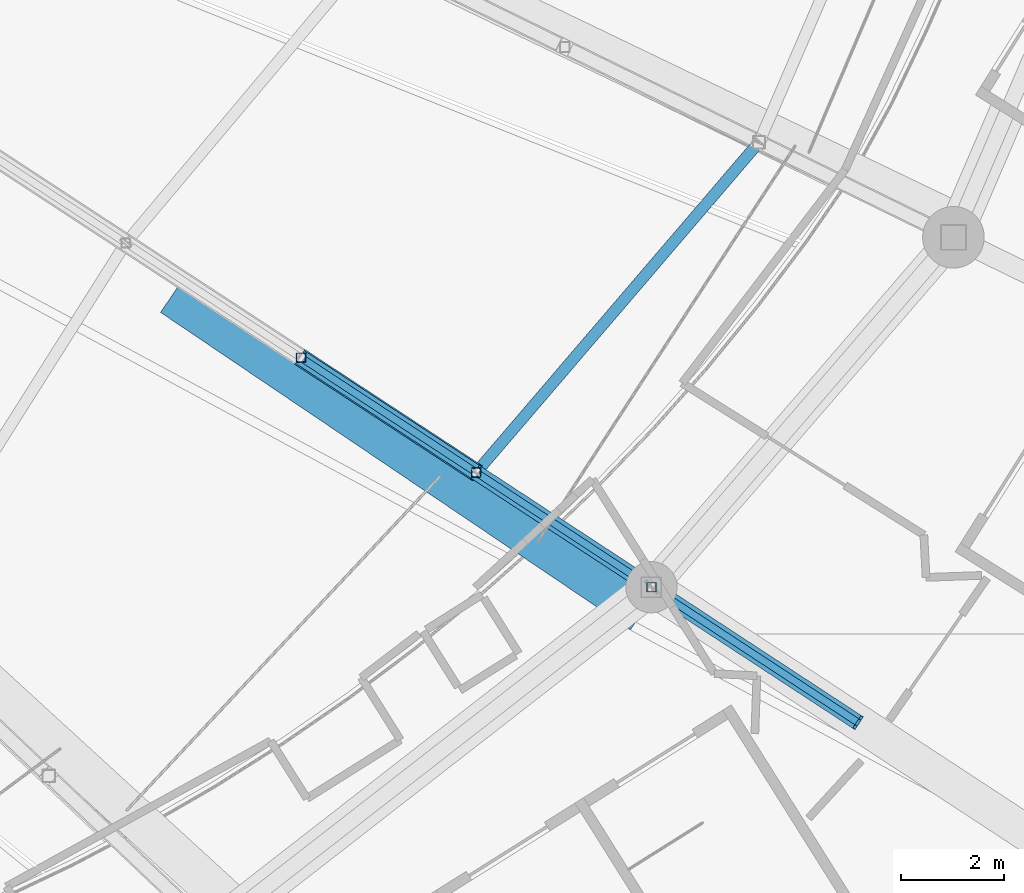
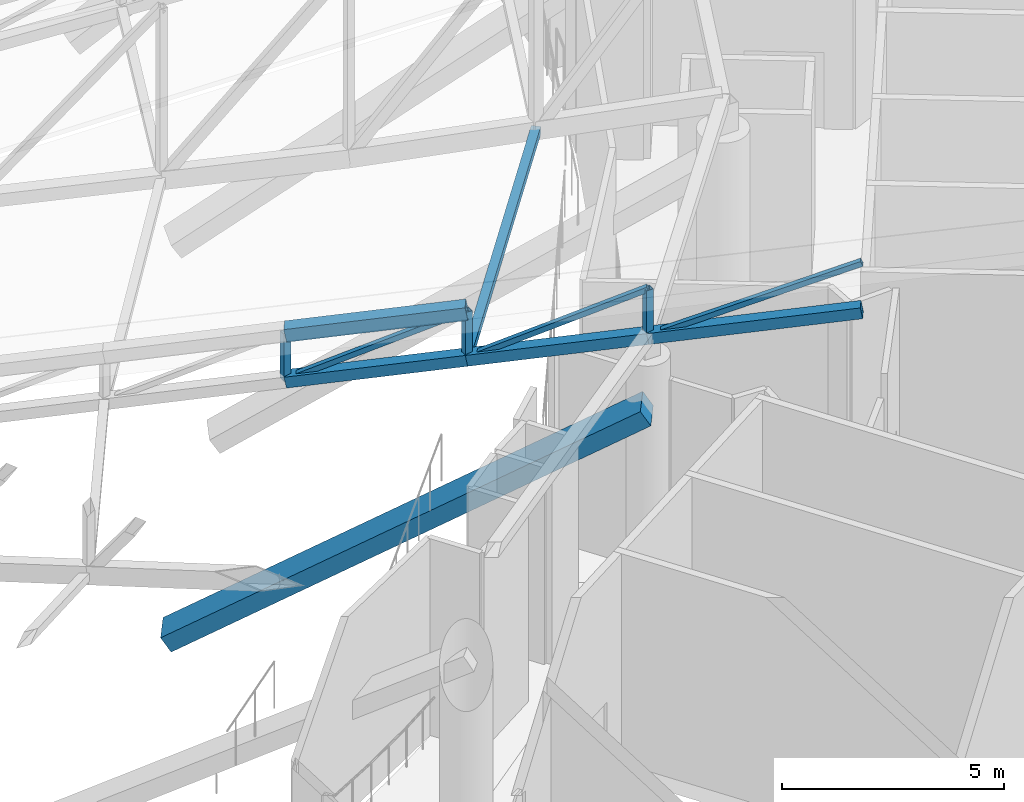
# One storey, part 80 of 344: 11 members, 1 beam.
"""IFC4 building model written with IfcOpenShell, lengths in metres."""

from ifc_helpers import new_model, si_unit, direction, frame, origin, origin_2d, place, context, subcontext, project, spatial, rectangle, hollow_rectangle, extrude, material, material_profile, profile_set, type_object, element, save


model = new_model("IFC4")

# Units and contexts
model_context = context("Model", 3, precision=1e-05, world=origin(), true_north=direction((0.0, 1.0)))
body_context = subcontext(model_context, "Body", "Model", "MODEL_VIEW")
ifc_project = project(units=[si_unit("LENGTHUNIT", "METRE"), si_unit("AREAUNIT", "SQUARE_METRE"), si_unit("VOLUMEUNIT", "CUBIC_METRE"), si_unit("PLANEANGLEUNIT", "RADIAN"), si_unit("MASSUNIT", "GRAM", prefix="KILO")], contexts=[model_context])

# Site, building, storey
site_placement = place(None, origin())
site = spatial("IfcSite", under=ifc_project, at=site_placement, CompositionType="ELEMENT")
building_placement = place(site_placement, origin())
building = spatial("IfcBuilding", under=site, at=building_placement, Name="Meseta Stadium", CompositionType="ELEMENT")
storey_placement = place(building_placement, frame((0.0, 0.0, 24.0)))
storey = spatial("IfcBuildingStorey", under=building, at=storey_placement, Name="L04", CompositionType="ELEMENT", Elevation=24.0)

# Beam
ifc_material_1 = material(Name="Concrete C40/50", Category="concrete")
ifc_material_profile_1 = material_profile(ifc_material_1, rectangle(XDim=0.800048828125, YDim=0.449951171875, at=origin_2d()), Name="RC 800x450")
ifc_profile_set_1 = profile_set([ifc_material_profile_1], Name="Concrete C40/50")
beam_type = type_object("IfcBeamType", Name="RC raker upper rear 800x450", PredefinedType="USERDEFINED", material=ifc_profile_set_1)
beam_placement = place(storey_placement, frame((63.068115234375, -73.469970703125, -1.89404296875), z_axis=(0.703356871616, -0.474805643878, 0.529007288883), x_axis=(0.5595050383, 0.82882694944, 0.0)))
element("IfcBeam", 1, at=beam_placement, inside=storey, type_object=beam_type, Name="Raker upper rear frame 53 upper tier", ObjectType="RAKER", PredefinedType="USERDEFINED", context=body_context, shape_type="SweptSolid", body=[
    extrude(rectangle(XDim=0.800048828125, YDim=0.449951171875, at=origin_2d()), origin(), (0.0, 0.0, 1.0), 12.74267578125),
])

# Members
ifc_material_2 = material(Name="Steel S355", Category="steel")
ifc_material_profile_2 = material_profile(ifc_material_2, hollow_rectangle(XDim=0.139892578125, YDim=0.139892578125, WallThickness=0.0048828125, at=origin_2d()), Name="SHS 140x140x5")
ifc_profile_set_2 = profile_set([ifc_material_profile_2], Name="Steel S355")
member_type_1 = type_object("IfcMemberType", Name="SHS 140x140x5 diagonal", PredefinedType="BRACE", material=ifc_profile_set_2)
member_1_placement = place(storey_placement, frame((65.482421875, -74.6181640625, 4.98291015625), z_axis=(0.74689812517, -0.489192373252, 0.450370972166), x_axis=(0.547905042456, 0.836540533657, 0.0)))
element("IfcMember", 2, at=member_1_placement, inside=storey, type_object=member_type_1, Name="ROOF TRUSS RT-53 diagonal", PredefinedType="BRACE", context=body_context, shape_type="SweptSolid", body=[
    extrude(hollow_rectangle(XDim=0.139892578125, YDim=0.139892578125, WallThickness=0.0048828125, at=origin_2d()), origin(), (0.0, 0.0, 1.0), 4.572021484375),
])
member_2_placement = place(storey_placement, frame((68.897216796875, -76.854736328125, 5.7421875), z_axis=(0.746917635794, -0.489151751188, 0.450382736847), x_axis=(0.547863186454, 0.836567946391, 0.0)))
element("IfcMember", 3, at=member_2_placement, inside=storey, type_object=member_type_1, Name="ROOF TRUSS RT-53 diagonal", PredefinedType="BRACE", context=body_context, shape_type="SweptSolid", body=[
    extrude(hollow_rectangle(XDim=0.139892578125, YDim=0.139892578125, WallThickness=0.0048828125, at=origin_2d()), origin(), (0.0, 0.0, 1.0), 4.57177734375),
])
member_3_placement = place(storey_placement, frame((72.31201171875, -79.091064453125, 6.501220703125), z_axis=(0.761123077873, -0.498493390359, 0.414965058888), x_axis=(0.547892863959, 0.836548510024, 0.0)))
element("IfcMember", 4, at=member_3_placement, inside=storey, type_object=member_type_1, Name="ROOF TRUSS RT-53 diagonal", PredefinedType="BRACE", context=body_context, shape_type="SweptSolid", body=[
    extrude(hollow_rectangle(XDim=0.139892578125, YDim=0.139892578125, WallThickness=0.0048828125, at=origin_2d()), origin(), (0.0, 0.0, 1.0), 5.290283203125),
])
ifc_material_3 = material(Name="Steel S355", Category="steel")
ifc_material_profile_3 = material_profile(ifc_material_3, hollow_rectangle(XDim=0.179931640625, YDim=0.179931640625, WallThickness=0.00634765625, at=origin_2d()), Name="SHS 180x180x6.3")
ifc_profile_set_3 = profile_set([ifc_material_profile_3], Name="Steel S355")
member_type_2 = type_object("IfcMemberType", Name="SHS 180x180x6.3 post", PredefinedType="POST", material=ifc_profile_set_3)
member_4_placement = place(storey_placement, frame((65.482421875, -74.6181640625, 4.98291015625), z_axis=(0.0, 0.0, 1.0), x_axis=(1.0, 0.0, 0.0)))
element("IfcMember", 5, at=member_4_placement, inside=storey, type_object=member_type_2, Name="ROOF TRUSS RT-53 post", PredefinedType="POST", context=body_context, shape_type="SweptSolid", body=[
    extrude(hollow_rectangle(XDim=0.179931640625, YDim=0.179931640625, WallThickness=0.00634765625, at=origin_2d()), origin(), (0.0, 0.0, 1.0), 1.300048828125),
])
member_5_placement = place(storey_placement, frame((68.897216796875, -76.854736328125, 5.7421875), z_axis=(0.0, 0.0, 1.0), x_axis=(1.0, 0.0, 0.0)))
element("IfcMember", 6, at=member_5_placement, inside=storey, type_object=member_type_2, Name="ROOF TRUSS RT-53 post", PredefinedType="POST", context=body_context, shape_type="SweptSolid", body=[
    extrude(hollow_rectangle(XDim=0.179931640625, YDim=0.179931640625, WallThickness=0.00634765625, at=origin_2d()), origin(), (0.0, 0.0, 1.0), 1.2998046875),
])
member_6_placement = place(storey_placement, frame((72.31201171875, -79.091064453125, 6.501220703125), z_axis=(0.0, 0.0, 1.0), x_axis=(1.0, 0.0, 0.0)))
element("IfcMember", 7, at=member_6_placement, inside=storey, type_object=member_type_2, Name="ROOF TRUSS RT-53 post", PredefinedType="POST", context=body_context, shape_type="SweptSolid", body=[
    extrude(hollow_rectangle(XDim=0.179931640625, YDim=0.179931640625, WallThickness=0.00634765625, at=origin_2d()), origin(), (0.0, 0.0, 1.0), 1.300048828125),
])
ifc_material_4 = material(Name="Steel S355", Category="steel")
ifc_material_profile_4 = material_profile(ifc_material_4, hollow_rectangle(XDim=0.219970703125, YDim=0.219970703125, WallThickness=0.008056640625, at=origin_2d()), Name="SHS 220x220x8")
ifc_profile_set_4 = profile_set([ifc_material_profile_4], Name="Steel S355")
member_type_3 = type_object("IfcMemberType", Name="SHS 220x220x8 strut", PredefinedType="STRUT", material=ifc_profile_set_4)
member_7_placement = place(storey_placement, frame((68.897216796875, -76.854736328125, 5.7421875), z_axis=(0.649724184838, 0.758658942545, 0.047907124031), x_axis=(-0.759531040228, 0.650471059256, 0.0)))
element("IfcMember", 8, at=member_7_placement, inside=storey, type_object=member_type_3, Name="ROOF TRUSS STRUT RT-53/54", PredefinedType="STRUT", context=body_context, shape_type="SweptSolid", body=[
    extrude(hollow_rectangle(XDim=0.219970703125, YDim=0.219970703125, WallThickness=0.008056640625, at=origin_2d()), origin(), (0.0, 0.0, 1.0), 8.485107421875),
])
ifc_material_5 = material(Name="Steel S355", Category="steel")
ifc_material_profile_5 = material_profile(ifc_material_5, hollow_rectangle(XDim=0.300048828125, YDim=0.300048828125, WallThickness=0.010009765625, at=origin_2d()), Name="SHS 300x300x10")
ifc_profile_set_5 = profile_set([ifc_material_profile_5], Name="Steel S355")
member_type_4 = type_object("IfcMemberType", Name="SHS 300x300x10 bottom chord", PredefinedType="CHORD", material=ifc_profile_set_5)
member_8_placement = place(storey_placement, frame((65.482421875, -74.6181640625, 4.98291015625), z_axis=(0.822434389791, -0.538666007355, 0.182867730911), x_axis=(0.547905042456, 0.836540533657, 0.0)))
element("IfcMember", 9, at=member_8_placement, inside=storey, type_object=member_type_4, Name="ROOF TRUSS RT-53 bottom chord", PredefinedType="CHORD", context=body_context, shape_type="SweptSolid", body=[
    extrude(hollow_rectangle(XDim=0.300048828125, YDim=0.300048828125, WallThickness=0.010009765625, at=origin_2d()), origin(), (0.0, 0.0, 1.0), 4.152099609375),
])
member_9_placement = place(storey_placement, frame((68.897216796875, -76.854736328125, 5.7421875), z_axis=(0.822469281869, -0.538630058048, 0.182816686733), x_axis=(0.547863186454, 0.836567946391, 0.0)))
element("IfcMember", 10, at=member_9_placement, inside=storey, type_object=member_type_4, Name="ROOF TRUSS RT-53 bottom chord", PredefinedType="CHORD", context=body_context, shape_type="SweptSolid", body=[
    extrude(hollow_rectangle(XDim=0.300048828125, YDim=0.300048828125, WallThickness=0.010009765625, at=origin_2d()), origin(), (0.0, 0.0, 1.0), 4.15185546875),
])
member_10_placement = place(storey_placement, frame((72.31201171875, -79.091064453125, 6.501220703125), z_axis=(0.822443524895, -0.538654881217, 0.182859419499), x_axis=(0.547892863959, 0.836548510024, 0.0)))
element("IfcMember", 11, at=member_10_placement, inside=storey, type_object=member_type_4, Name="ROOF TRUSS RT-53 bottom chord", PredefinedType="CHORD", context=body_context, shape_type="SweptSolid", body=[
    extrude(hollow_rectangle(XDim=0.300048828125, YDim=0.300048828125, WallThickness=0.010009765625, at=origin_2d()), origin(), (0.0, 0.0, 1.0), 4.89599609375),
])
ifc_material_6 = material(Name="Steel S355", Category="steel")
ifc_material_profile_6 = material_profile(ifc_material_6, hollow_rectangle(XDim=0.35009765625, YDim=0.35009765625, WallThickness=0.010009765625, at=origin_2d()), Name="SHS 350x350x10")
ifc_profile_set_6 = profile_set([ifc_material_profile_6], Name="Steel S355")
member_type_5 = type_object("IfcMemberType", Name="SHS 350x350x10 top chord", PredefinedType="CHORD", material=ifc_profile_set_6)
member_11_placement = place(storey_placement, frame((65.482421875, -74.6181640625, 6.282958984375), z_axis=(0.822443231826, -0.538671798581, 0.182810896386), x_axis=(0.547905042456, 0.836540533657, 0.0)))
element("IfcMember", 12, at=member_11_placement, inside=storey, type_object=member_type_5, Name="ROOF TRUSS RT-53 top chord", PredefinedType="CHORD", context=body_context, shape_type="SweptSolid", body=[
    extrude(hollow_rectangle(XDim=0.35009765625, YDim=0.35009765625, WallThickness=0.010009765625, at=origin_2d()), origin(), (0.0, 0.0, 1.0), 4.152099609375),
])

save(model, "model.ifc")
